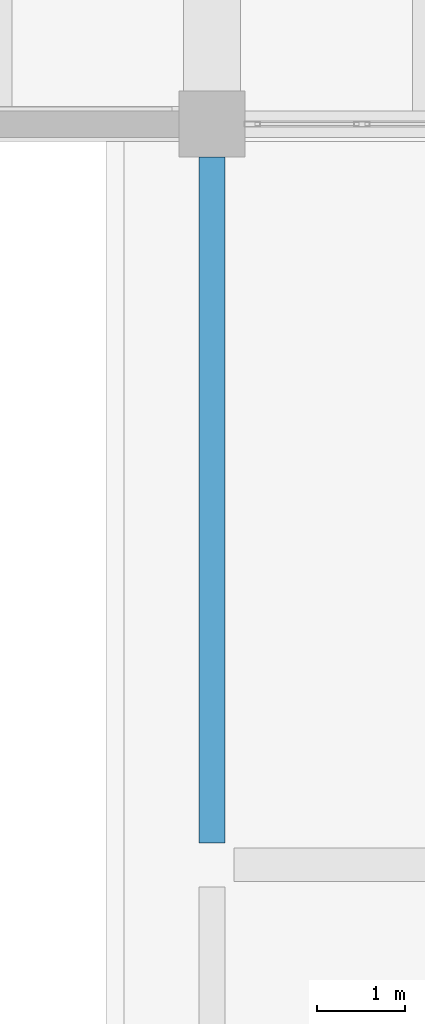
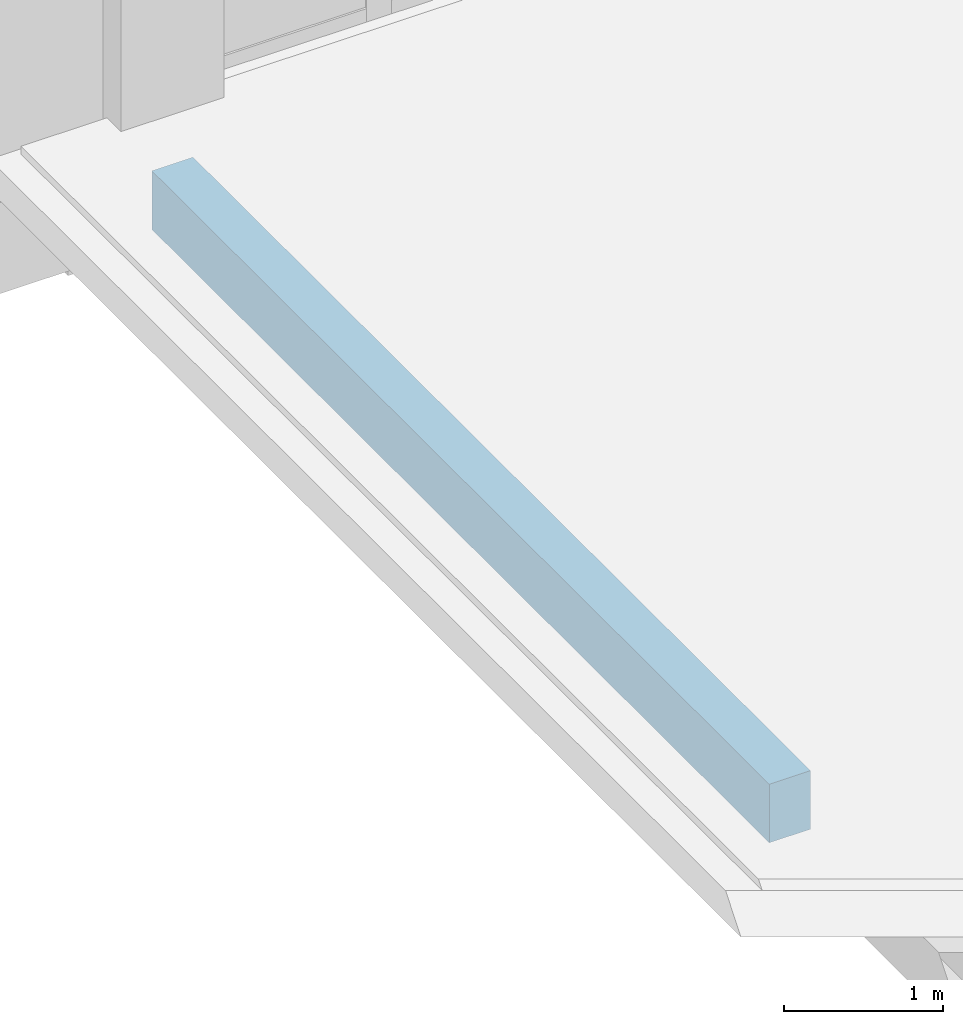
# One storey, part 65 of 134: 1 beam.
"""IFC4 building model written with IfcOpenShell, lengths in metres."""

from ifc_helpers import new_model, si_unit, direction, frame, origin, origin_2d, place, context, subcontext, project, spatial, rectangle, extrude, material, material_profile, profile_set, type_object, element, save


model = new_model("IFC4")

# Units and contexts
model_context = context("Model", 3, precision=1e-05, world=origin(), true_north=direction((0.0, 1.0)))
body_context = subcontext(model_context, "Body", "Model", "MODEL_VIEW")
ifc_project = project(units=[si_unit("LENGTHUNIT", "METRE"), si_unit("AREAUNIT", "SQUARE_METRE"), si_unit("VOLUMEUNIT", "CUBIC_METRE"), si_unit("PLANEANGLEUNIT", "RADIAN"), si_unit("MASSUNIT", "GRAM", prefix="KILO")], contexts=[model_context])

# Site, building, storey
site_placement = place(None, origin())
site = spatial("IfcSite", under=ifc_project, at=site_placement, CompositionType="ELEMENT")
building_placement = place(site_placement, origin())
building = spatial("IfcBuilding", under=site, at=building_placement, Name="Kalluvel Institute of Natural Sciences", CompositionType="ELEMENT")
storey_placement = place(building_placement, frame((0.0, 0.0, 5.39990234375)))
storey = spatial("IfcBuildingStorey", under=building, at=storey_placement, Name="L01", CompositionType="ELEMENT", Elevation=5.39990234375)

# Beam
ifc_material = material(Name="Concrete M40", Category="concrete")
ifc_material_profile = material_profile(ifc_material, rectangle(XDim=0.300048828125, YDim=0.449951171875, at=origin_2d()), Name="RCB 300x450")
ifc_profile_set = profile_set([ifc_material_profile], Name="Concrete M40")
beam_type = type_object("IfcBeamType", Name="SP-RC300x450", PredefinedType="SPANDREL", material=ifc_profile_set)
beam_placement = place(storey_placement, frame((107.60009765625, 94.64990234375, -0.544921875), z_axis=(0.0, 1.0, 0.0), x_axis=(-1.0, 0.0, 0.0)))
element("IfcBeam", 1, at=beam_placement, inside=storey, type_object=beam_type, Name="L01 girder GIR-L01-NS-X1076-Y944", PredefinedType="SPANDREL", context=body_context, shape_type="SweptSolid", body=[
    extrude(rectangle(XDim=0.300048828125, YDim=0.449951171875, at=origin_2d()), origin(), (0.0, 0.0, 1.0), 7.775146484375),
])

save(model, "model.ifc")
